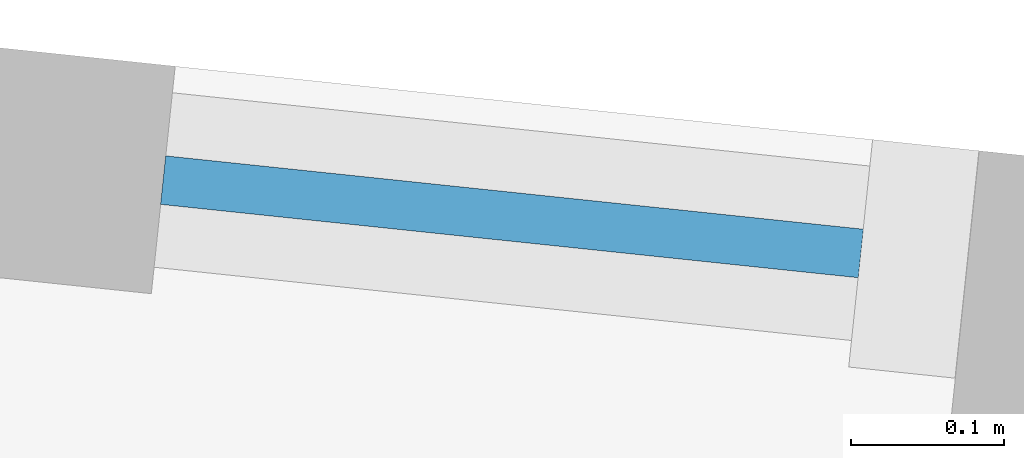
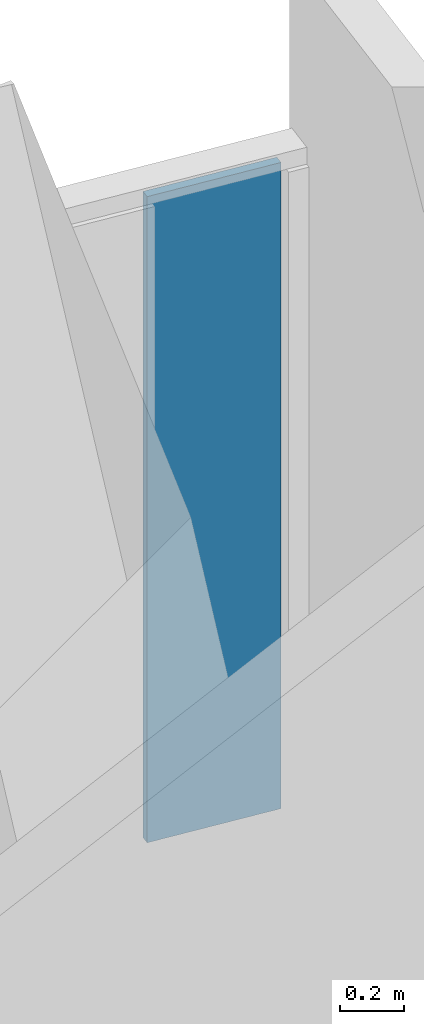
# One storey, part 13 of 23: 1 plate, 1 element without a shape of its own.
"""IFC4 building model written with IfcOpenShell, lengths in metres."""

from ifc_helpers import new_model, si_unit, direction, frame, origin, origin_2d, place, context, subcontext, project, spatial, rectangle, extrude, material, layer, layer_set, type_object, element, aggregate, save


model = new_model("IFC4")

# Units and contexts
model_context = context("Model", 3, precision=1e-05, world=origin(), true_north=direction((0.0, 1.0)))
body_context = subcontext(model_context, "Body", "Model", "MODEL_VIEW")
ifc_project = project(units=[si_unit("LENGTHUNIT", "METRE"), si_unit("AREAUNIT", "SQUARE_METRE"), si_unit("VOLUMEUNIT", "CUBIC_METRE"), si_unit("PLANEANGLEUNIT", "RADIAN"), si_unit("MASSUNIT", "GRAM", prefix="KILO")], contexts=[model_context])

# Site, building, storey
site_placement = place(None, origin())
site = spatial("IfcSite", under=ifc_project, at=site_placement, CompositionType="ELEMENT")
building_placement = place(site_placement, origin())
building = spatial("IfcBuilding", under=site, at=building_placement, Name="Verdalira Terraces Hotel", CompositionType="ELEMENT")
storey_placement = place(building_placement, frame((0.0, 0.0, 133.0)))
storey = spatial("IfcBuildingStorey", under=building, at=storey_placement, Name="L31", CompositionType="ELEMENT", Elevation=133.0)

# Curtain wall, plate
ifc_material_1 = material(Name="Clear glass", Category="glass")
ifc_layer_1 = layer(ifc_material_1, 0.14990234375)
ifc_layer_set_1 = layer_set([ifc_layer_1], Name="CW2 curtain wall")
curtain_wall_type = type_object("IfcCurtainWallType", Name="CW2 curtain wall", PredefinedType="NOTDEFINED", material=ifc_layer_set_1)
curtain_wall_placement = place(storey_placement, origin())
curtain_wall = element("IfcCurtainWall", 1, at=curtain_wall_placement, inside=storey, type_object=curtain_wall_type, Name="CW2 curtain wall L31 edge 38", PredefinedType="NOTDEFINED")
ifc_material_2 = material(Name="Clear glass", Category="glass")
ifc_layer_2 = layer(ifc_material_2, 0.031982421875)
ifc_layer_set_2 = layer_set([ifc_layer_2], Name="CW2 glass unit 32")
plate_type = type_object("IfcPlateType", Name="CW2 glass unit 32", PredefinedType="CURTAIN_PANEL", material=ifc_layer_set_2)
plate_placement = place(storey_placement, frame((31.225098, 3.178467, 0.0), z_axis=(0.0, 0.0, 1.0), x_axis=(-0.994521895, 0.104528463, 0.0)))
plate = element("IfcPlate", 2, at=plate_placement, type_object=plate_type, Name="CW2 glass unit", PredefinedType="CURTAIN_PANEL", context=body_context, shape_type="SweptSolid", body=[
    extrude(rectangle(XDim=0.459961, YDim=0.031982, at=origin_2d()), origin(), (0.0, 0.0, 1.0), 2.475098),
])
aggregate(curtain_wall, [plate])

save(model, "model.ifc")
